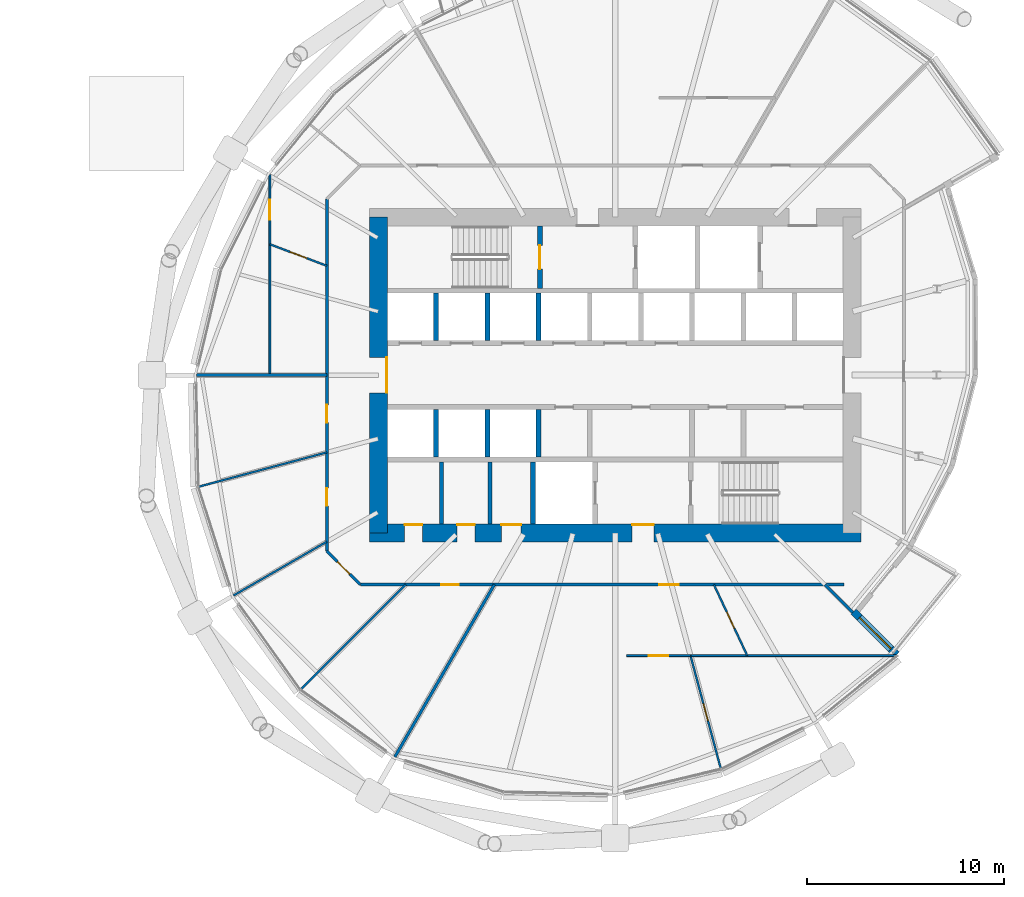
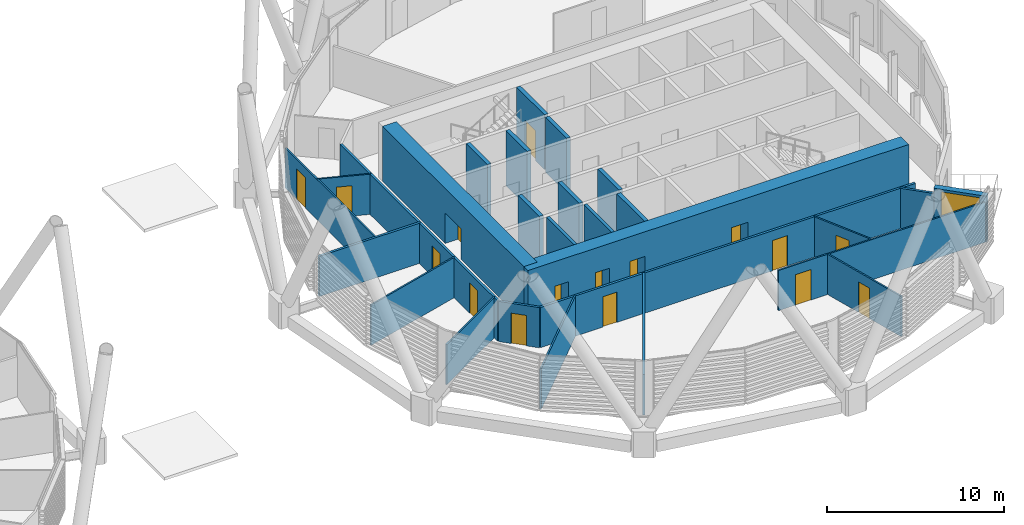
# One storey, part 25 of 34: 28 walls, 16 doors, 1 window, 17 openings.
"""IFC4 building model written with IfcOpenShell, lengths in metres."""

from ifc_helpers import new_model, si_unit, direction, frame, frame_2d, origin, place, context, subcontext, project, spatial, rectangle, extrude, material, layer, layer_set, type_object, element, fill, save


model = new_model("IFC4")

# Units and contexts
model_context = context("Model", 3, precision=1e-05, world=origin(), true_north=direction((0.0, 1.0)))
body_context = subcontext(model_context, "Body", "Model", "MODEL_VIEW")
ifc_project = project(units=[si_unit("LENGTHUNIT", "METRE"), si_unit("AREAUNIT", "SQUARE_METRE"), si_unit("VOLUMEUNIT", "CUBIC_METRE"), si_unit("PLANEANGLEUNIT", "RADIAN"), si_unit("MASSUNIT", "GRAM", prefix="KILO")], contexts=[model_context])

# Site, building, storey
site_placement = place(None, origin())
site = spatial("IfcSite", under=ifc_project, at=site_placement, CompositionType="ELEMENT")
building_placement = place(site_placement, origin())
building = spatial("IfcBuilding", under=site, at=building_placement, Name="Rimbun Link Towers", CompositionType="ELEMENT")
storey_placement = place(building_placement, frame((0.0, 0.0, 41.39990234375)))
storey = spatial("IfcBuildingStorey", under=building, at=storey_placement, Name="L09", CompositionType="ELEMENT", Elevation=41.39990234375)

# Wall, opening, window
ifc_material_1 = material(Name="Dark enamelled glass spandrel on insulated aluminium backpan", Category="aluminium")
ifc_layer_1 = layer(ifc_material_1, 0.3701171875)
ifc_layer_set_1 = layer_set([ifc_layer_1], Name="CS dark enamelled spandrel wall 370")
wall_type_1 = type_object("IfcWallType", Name="CS dark enamelled spandrel wall 370", PredefinedType="STANDARD", material=ifc_layer_set_1)
wall_1_placement = place(storey_placement, frame((43.83544921875, -11.99365234375, 0.0), z_axis=(0.0, 0.0, 1.0), x_axis=(0.707106781187, -0.707106781187, 0.0)))
wall_1 = element("IfcWall", 1, at=wall_1_placement, inside=storey, type_object=wall_type_1, Name="Crease spandrel wall", PredefinedType="STANDARD", context=body_context, shape_type="SweptSolid", body=[
    extrude(rectangle(XDim=3.080078125, YDim=0.3701171875, at=frame_2d((1.5400390625, 0.0))), origin(), (0.0, 0.0, 1.0), 3.1767578125),
])
opening_1_placement = place(wall_1_placement, frame((0.4150390625, 0.0, 0.300048828125)))
opening_1 = element("IfcOpeningElement", 2, at=opening_1_placement, cuts=wall_1, Name="Opening WR22H270", PredefinedType="OPENING", context=body_context, shape_type="SweptSolid", body=[
    extrude(rectangle(XDim=2.25, YDim=2.699951171875, at=frame_2d((1.125, 1.35009765625))), frame((0.0, 0.195068359375, 0.0), z_axis=(0.0, -1.0, 0.0), x_axis=(1.0, 0.0, 0.0)), (0.0, 0.0, 1.0), 0.39013671875),
])
ifc_material_2 = material(Name="Aluminium framed fixed window, dark tinted low-e glass", Category="aluminium")
window_type = type_object("IfcWindowType", Name="WR ribbon window 2250X2700", PartitioningType="SINGLE_PANEL", PredefinedType="WINDOW", material=ifc_material_2)
window_placement = place(opening_1_placement, origin())
window = element("IfcWindow", 3, at=window_placement, inside=storey, type_object=window_type, Name="Crease ribbon window", OverallHeight=2.699951171875, OverallWidth=2.25, PartitioningType="SINGLE_PANEL", PredefinedType="WINDOW", context=body_context, shape_type="SweptSolid", body=[
    extrude(rectangle(XDim=2.25, YDim=2.699951171875, at=frame_2d((1.125, 1.35009765625))), frame((0.0, 0.030029296875, 0.0), z_axis=(0.0, -1.0, 0.0), x_axis=(1.0, 0.0, 0.0)), (0.0, 0.0, 1.0), 0.06005859375),
])
fill(opening_1, window)

# Walls
ifc_material_3 = material(Name="Masonry blockwork", Category="masonry")
ifc_layer_2 = layer(ifc_material_3, 0.199951171875)
ifc_layer_set_2 = layer_set([ifc_layer_2], Name="Core partition 200")
wall_type_2 = type_object("IfcWallType", Name="Core partition 200", PredefinedType="PARTITIONING", material=ifc_layer_set_2)
for number, where, z_axis, x_axis, name in (
    (4, (22.949951171875, -4.39990234375, 0.0), (0.0, 0.0, 1.0), (0.0, -1.0, 0.0), "L09 T2 core wall C1"),
    (5, (25.39990234375, -4.39990234375, 0.0), (0.0, 0.0, 1.0), (0.0, -1.0, 0.0), "L09 T2 core wall C2"),
):
    element("IfcWall", number, at=place(storey_placement, frame(where, z_axis=z_axis, x_axis=x_axis)), inside=storey, type_object=wall_type_2, Name=name, PredefinedType="PARTITIONING", context=body_context, shape_type="SweptSolid", body=[
        extrude(rectangle(XDim=3.150146484375, YDim=0.199951171875, at=frame_2d((1.5751953125, 0.0))), origin(), (0.0, 0.0, 1.0), 3.800048828125),
    ])

# Wall, openings, doors
ifc_material_4 = material(Name="Concrete C60/75", Category="concrete")
ifc_layer_3 = layer(ifc_material_4, 0.89990234375)
ifc_layer_set_3 = layer_set([ifc_layer_3], Name="Core shear wall 900")
wall_type_3 = type_object("IfcWallType", Name="Core shear wall 900", PredefinedType="SHEAR", material=ifc_layer_set_3)
wall_2_placement = place(storey_placement, frame((19.300048828125, -8.0, 0.0), z_axis=(0.0, 0.0, 1.0), x_axis=(1.0, 0.0, 0.0)))
wall_2 = element("IfcWall", 6, at=wall_2_placement, inside=storey, type_object=wall_type_3, Name="L09 T2 core wall S", PredefinedType="SHEAR", context=body_context, shape_type="SweptSolid", body=[
    extrude(rectangle(XDim=24.89990234375, YDim=0.89990234375, at=frame_2d((12.449951171875, 0.0))), origin(), (0.0, 0.0, 1.0), 3.800048828125),
])
opening_2_placement = place(wall_2_placement, frame((13.300048828125, 0.0, 0.0)))
opening_2 = element("IfcOpeningElement", 7, at=opening_2_placement, cuts=wall_2, Name="Opening C2DCF01S", PredefinedType="OPENING", context=body_context, shape_type="SweptSolid", body=[
    extrude(rectangle(XDim=1.10009765625, YDim=2.10009765625, at=frame_2d((0.550048828125, 1.050048828125))), frame((0.0, 0.4599609375, 0.0), z_axis=(0.0, -1.0, 0.0), x_axis=(1.0, 0.0, 0.0)), (0.0, 0.0, 1.0), 0.919921875),
])
opening_3_placement = place(wall_2_placement, frame((1.77490234375, 0.0, 0.0)))
opening_3 = element("IfcOpeningElement", 8, at=opening_3_placement, cuts=wall_2, Name="Opening C2DWC02S", PredefinedType="OPENING", context=body_context, shape_type="SweptSolid", body=[
    extrude(rectangle(XDim=0.89990234375, YDim=2.10009765625, at=frame_2d((0.449951171875, 1.050048828125))), frame((0.0, 0.4599609375, 0.0), z_axis=(0.0, -1.0, 0.0), x_axis=(1.0, 0.0, 0.0)), (0.0, 0.0, 1.0), 0.919921875),
])
opening_4_placement = place(wall_2_placement, frame((4.425048828125, 0.0, 0.0)))
opening_4 = element("IfcOpeningElement", 9, at=opening_4_placement, cuts=wall_2, Name="Opening C2DWC03S", PredefinedType="OPENING", context=body_context, shape_type="SweptSolid", body=[
    extrude(rectangle(XDim=0.89990234375, YDim=2.10009765625, at=frame_2d((0.449951171875, 1.050048828125))), frame((0.0, 0.4599609375, 0.0), z_axis=(0.0, -1.0, 0.0), x_axis=(1.0, 0.0, 0.0)), (0.0, 0.0, 1.0), 0.919921875),
])
opening_5_placement = place(wall_2_placement, frame((6.675048828125, 0.0, 0.0)))
opening_5 = element("IfcOpeningElement", 10, at=opening_5_placement, cuts=wall_2, Name="Opening C2DAW04S", PredefinedType="OPENING", context=body_context, shape_type="SweptSolid", body=[
    extrude(rectangle(XDim=1.0, YDim=2.10009765625, at=frame_2d((0.5, 1.050048828125))), frame((0.0, 0.4599609375, 0.0), z_axis=(0.0, -1.0, 0.0), x_axis=(1.0, 0.0, 0.0)), (0.0, 0.0, 1.0), 0.919921875),
])
ifc_material_5 = material(Name="Timber", Category="wood")
door_type_1 = type_object("IfcDoorType", Name="Accessible WC door", OperationType="SINGLE_SWING_LEFT", PredefinedType="DOOR", material=ifc_material_5)
door_1_placement = place(opening_5_placement, origin())
door_1 = element("IfcDoor", 11, at=door_1_placement, inside=storey, type_object=door_type_1, Name="L09 T2 accessible wc door", OperationType="SINGLE_SWING_RIGHT", OverallHeight=2.10009765625, OverallWidth=1.0, PredefinedType="DOOR", context=body_context, shape_type="SweptSolid", body=[
    extrude(rectangle(XDim=1.0, YDim=2.10009765625, at=frame_2d((0.5, 1.050048828125))), frame((0.0, 0.4501953125, 0.0), z_axis=(0.0, -1.0, 0.0), x_axis=(1.0, 0.0, 0.0)), (0.0, 0.0, 1.0), 0.050048828125),
])
fill(opening_5, door_1)
ifc_material_6 = material(Name="Steel fire door set", Category="steel")
door_type_2 = type_object("IfcDoorType", Name="Core fire door single", OperationType="SINGLE_SWING_LEFT", PredefinedType="DOOR", material=ifc_material_6)
door_2_placement = place(opening_2_placement, origin())
door_2 = element("IfcDoor", 12, at=door_2_placement, inside=storey, type_object=door_type_2, Name="L09 T2 firefighting lobby s door", OperationType="SINGLE_SWING_RIGHT", OverallHeight=2.10009765625, OverallWidth=1.10009765625, PredefinedType="DOOR", context=body_context, shape_type="SweptSolid", body=[
    extrude(rectangle(XDim=1.10009765625, YDim=2.10009765625, at=frame_2d((0.550048828125, 1.050048828125))), frame((0.0, 0.4501953125, 0.0), z_axis=(0.0, -1.0, 0.0), x_axis=(1.0, 0.0, 0.0)), (0.0, 0.0, 1.0), 0.050048828125),
])
fill(opening_2, door_2)
ifc_material_7 = material(Name="Timber", Category="wood")
door_type_3 = type_object("IfcDoorType", Name="WC door", OperationType="SINGLE_SWING_LEFT", PredefinedType="DOOR", material=ifc_material_7)
door_3_placement = place(opening_3_placement, origin())
door_3 = element("IfcDoor", 13, at=door_3_placement, inside=storey, type_object=door_type_3, Name="L09 T2 male wc door", OperationType="SINGLE_SWING_RIGHT", OverallHeight=2.10009765625, OverallWidth=0.89990234375, PredefinedType="DOOR", context=body_context, shape_type="SweptSolid", body=[
    extrude(rectangle(XDim=0.89990234375, YDim=2.10009765625, at=frame_2d((0.449951171875, 1.050048828125))), frame((0.0, 0.4501953125, 0.0), z_axis=(0.0, -1.0, 0.0), x_axis=(1.0, 0.0, 0.0)), (0.0, 0.0, 1.0), 0.050048828125),
])
fill(opening_3, door_3)
door_4_placement = place(opening_4_placement, origin())
door_4 = element("IfcDoor", 14, at=door_4_placement, inside=storey, type_object=door_type_3, Name="L09 T2 female wc door", OperationType="SINGLE_SWING_RIGHT", OverallHeight=2.10009765625, OverallWidth=0.89990234375, PredefinedType="DOOR", context=body_context, shape_type="SweptSolid", body=[
    extrude(rectangle(XDim=0.89990234375, YDim=2.10009765625, at=frame_2d((0.449951171875, 1.050048828125))), frame((0.0, 0.4501953125, 0.0), z_axis=(0.0, -1.0, 0.0), x_axis=(1.0, 0.0, 0.0)), (0.0, 0.0, 1.0), 0.050048828125),
])
fill(opening_4, door_4)

# Wall, opening, door
wall_3_placement = place(storey_placement, frame((19.75, -8.0, 0.0), z_axis=(0.0, 0.0, 1.0), x_axis=(0.0, 1.0, 0.0)))
wall_3 = element("IfcWall", 15, at=wall_3_placement, inside=storey, type_object=wall_type_3, Name="L09 T2 core wall W", PredefinedType="SHEAR", context=body_context, shape_type="SweptSolid", body=[
    extrude(rectangle(XDim=16.0, YDim=0.89990234375, at=frame_2d((8.0, 0.0))), origin(), (0.0, 0.0, 1.0), 3.800048828125),
])
opening_6_placement = place(wall_3_placement, frame((7.10009765625, 0.0, 0.0)))
opening_6 = element("IfcOpeningElement", 16, at=opening_6_placement, cuts=wall_3, Name="Opening C2DCL01W", PredefinedType="OPENING", context=body_context, shape_type="SweptSolid", body=[
    extrude(rectangle(XDim=1.800048828125, YDim=2.10009765625, at=frame_2d((0.89990234375, 1.050048828125))), frame((0.0, 0.4599609375, 0.0), z_axis=(0.0, -1.0, 0.0), x_axis=(1.0, 0.0, 0.0)), (0.0, 0.0, 1.0), 0.919921875),
])
ifc_material_8 = material(Name="Steel fire door set", Category="steel")
door_type_4 = type_object("IfcDoorType", Name="Core lobby door double", OperationType="DOUBLE_DOOR_SINGLE_SWING", PredefinedType="DOOR", material=ifc_material_8)
door_5_placement = place(opening_6_placement, origin())
door_5 = element("IfcDoor", 17, at=door_5_placement, inside=storey, type_object=door_type_4, Name="L09 T2 lift lobby door", OperationType="DOUBLE_DOOR_SINGLE_SWING", OverallHeight=2.10009765625, OverallWidth=1.800048828125, PredefinedType="DOOR", context=body_context, shape_type="SweptSolid", body=[
    extrude(rectangle(XDim=1.800048828125, YDim=2.10009765625, at=frame_2d((0.89990234375, 1.050048828125))), frame((0.0, -0.39990234375, 0.0), z_axis=(0.0, -1.0, 0.0), x_axis=(1.0, 0.0, 0.0)), (0.0, 0.0, 1.0), 0.050048828125),
])
fill(opening_6, door_5)

# Wall, openings, doors
ifc_material_9 = material(Name="Plasterboard on steel stud, mineral wool", Category="steel")
ifc_layer_4 = layer(ifc_material_9, 0.14990234375)
ifc_layer_set_4 = layer_set([ifc_layer_4], Name="Corridor wall EI 30 150 mm")
wall_type_4 = type_object("IfcWallType", Name="Corridor wall EI 30 150 mm", PredefinedType="PARTITIONING", material=ifc_layer_set_4)
wall_4_placement = place(storey_placement, frame((43.330322265625, -10.625, 0.0), z_axis=(0.0, 0.0, 1.0), x_axis=(-1.0, 0.0, 0.0)))
wall_4 = element("IfcWall", 18, at=wall_4_placement, inside=storey, type_object=wall_type_4, Name="Corridor wall EI 30 150 mm", PredefinedType="PARTITIONING", context=body_context, shape_type="SweptSolid", body=[
    extrude(rectangle(XDim=24.507080078125, YDim=0.14990234375, at=frame_2d((12.25341796875, 0.0))), origin(), (0.0, 0.0, 1.0), 2.779052734375),
])
opening_7_placement = place(wall_4_placement, frame((19.510009765625, 0.0, 0.0)))
opening_7 = element("IfcOpeningElement", 19, at=opening_7_placement, cuts=wall_4, Name="Opening D02", PredefinedType="OPENING", context=body_context, shape_type="SweptSolid", body=[
    extrude(rectangle(XDim=0.89990234375, YDim=2.10009765625, at=frame_2d((0.449951171875, 1.050048828125))), frame((0.0, 0.0849609375, 0.0), z_axis=(0.0, -1.0, 0.0), x_axis=(1.0, 0.0, 0.0)), (0.0, 0.0, 1.0), 0.169921875),
])
opening_8_placement = place(wall_4_placement, frame((8.35595703125, 0.0, 0.0)))
opening_8 = element("IfcOpeningElement", 20, at=opening_8_placement, cuts=wall_4, Name="Opening D01", PredefinedType="OPENING", context=body_context, shape_type="SweptSolid", body=[
    extrude(rectangle(XDim=1.0, YDim=2.10009765625, at=frame_2d((0.5, 1.050048828125))), frame((0.0, 0.0849609375, 0.0), z_axis=(0.0, -1.0, 0.0), x_axis=(1.0, 0.0, 0.0)), (0.0, 0.0, 1.0), 0.169921875),
])
ifc_material_10 = material(Name="Fire-resisting timber door leaf", Category="wood")
door_type_5 = type_object("IfcDoorType", Name="Fire door FD30S 1000", OperationType="NOTDEFINED", PredefinedType="DOOR", material=ifc_material_10)
door_6_placement = place(opening_8_placement, origin())
door_6 = element("IfcDoor", 21, at=door_6_placement, inside=storey, type_object=door_type_5, Name="Fire door FD30S 1000 to Reception", OperationType="SINGLE_SWING_LEFT", OverallHeight=2.10009765625, OverallWidth=1.0, PredefinedType="DOOR", context=body_context, shape_type="SweptSolid", body=[
    extrude(rectangle(XDim=1.0, YDim=2.10009765625, at=frame_2d((0.5, 1.050048828125))), frame((0.0, 0.02490234375, 0.0), z_axis=(0.0, -1.0, 0.0), x_axis=(1.0, 0.0, 0.0)), (0.0, 0.0, 1.0), 0.050048828125),
])
fill(opening_8, door_6)
ifc_material_11 = material(Name="Fire-resisting timber door leaf", Category="wood")
door_type_6 = type_object("IfcDoorType", Name="Fire door FD30S 900", OperationType="NOTDEFINED", PredefinedType="DOOR", material=ifc_material_11)
door_7_placement = place(opening_7_placement, origin())
door_7 = element("IfcDoor", 22, at=door_7_placement, inside=storey, type_object=door_type_6, Name="Fire door FD30S 900 to Meeting room", OperationType="SINGLE_SWING_RIGHT", OverallHeight=2.10009765625, OverallWidth=0.89990234375, PredefinedType="DOOR", context=body_context, shape_type="SweptSolid", body=[
    extrude(rectangle(XDim=0.89990234375, YDim=2.10009765625, at=frame_2d((0.449951171875, 1.050048828125))), frame((0.0, 0.02490234375, 0.0), z_axis=(0.0, -1.0, 0.0), x_axis=(1.0, 0.0, 0.0)), (0.0, 0.0, 1.0), 0.050048828125),
])
fill(opening_7, door_7)

# Wall, opening, door
wall_5_placement = place(storey_placement, frame((18.8232421875, -10.625, 0.0), z_axis=(0.0, 0.0, 1.0), x_axis=(-0.707106781187, 0.707106781187, 0.0)))
wall_5 = element("IfcWall", 23, at=wall_5_placement, inside=storey, type_object=wall_type_4, Name="Corridor wall EI 30 150 mm", PredefinedType="PARTITIONING", context=body_context, shape_type="SweptSolid", body=[
    extrude(rectangle(XDim=2.401611328125, YDim=0.14990234375, at=frame_2d((1.20068359375, 0.0))), origin(), (0.0, 0.0, 1.0), 2.779052734375),
])
opening_9_placement = place(wall_5_placement, frame((0.7509765625, 0.0, 0.0)))
opening_9 = element("IfcOpeningElement", 24, at=opening_9_placement, cuts=wall_5, Name="Opening D02", PredefinedType="OPENING", context=body_context, shape_type="SweptSolid", body=[
    extrude(rectangle(XDim=0.89990234375, YDim=2.10009765625, at=frame_2d((0.449951171875, 1.050048828125))), frame((0.0, 0.0849609375, 0.0), z_axis=(0.0, -1.0, 0.0), x_axis=(1.0, 0.0, 0.0)), (0.0, 0.0, 1.0), 0.169921875),
])
door_8_placement = place(opening_9_placement, origin())
door_8 = element("IfcDoor", 25, at=door_8_placement, inside=storey, type_object=door_type_6, Name="Fire door FD30S 900 to Cellular office", OperationType="SINGLE_SWING_LEFT", OverallHeight=2.10009765625, OverallWidth=0.89990234375, PredefinedType="DOOR", context=body_context, shape_type="SweptSolid", body=[
    extrude(rectangle(XDim=0.89990234375, YDim=2.10009765625, at=frame_2d((0.449951171875, 1.050048828125))), frame((0.0, 0.02490234375, 0.0), z_axis=(0.0, -1.0, 0.0), x_axis=(1.0, 0.0, 0.0)), (0.0, 0.0, 1.0), 0.050048828125),
])
fill(opening_9, door_8)

# Wall, openings, doors
wall_6_placement = place(storey_placement, frame((17.125, -8.9267578125, 0.0), z_axis=(0.0, 0.0, 1.0), x_axis=(0.0, 1.0, 0.0)))
wall_6 = element("IfcWall", 26, at=wall_6_placement, inside=storey, type_object=wall_type_4, Name="Corridor wall EI 30 150 mm", PredefinedType="PARTITIONING", context=body_context, shape_type="SweptSolid", body=[
    extrude(rectangle(XDim=17.853515625, YDim=0.14990234375, at=frame_2d((8.9267578125, 0.0))), origin(), (0.0, 0.0, 1.0), 2.779052734375),
])
opening_10_placement = place(wall_6_placement, frame((6.517333984375, 0.0, 0.0)))
opening_10 = element("IfcOpeningElement", 27, at=opening_10_placement, cuts=wall_6, Name="Opening D02", PredefinedType="OPENING", context=body_context, shape_type="SweptSolid", body=[
    extrude(rectangle(XDim=0.89990234375, YDim=2.10009765625, at=frame_2d((0.449951171875, 1.050048828125))), frame((0.0, 0.0849609375, 0.0), z_axis=(0.0, -1.0, 0.0), x_axis=(1.0, 0.0, 0.0)), (0.0, 0.0, 1.0), 0.169921875),
])
opening_11_placement = place(wall_6_placement, frame((2.29541015625, 0.0, 0.0)))
opening_11 = element("IfcOpeningElement", 28, at=opening_11_placement, cuts=wall_6, Name="Opening D02", PredefinedType="OPENING", context=body_context, shape_type="SweptSolid", body=[
    extrude(rectangle(XDim=0.89990234375, YDim=2.10009765625, at=frame_2d((0.449951171875, 1.050048828125))), frame((0.0, 0.0849609375, 0.0), z_axis=(0.0, -1.0, 0.0), x_axis=(1.0, 0.0, 0.0)), (0.0, 0.0, 1.0), 0.169921875),
])
door_9_placement = place(opening_10_placement, origin())
door_9 = element("IfcDoor", 29, at=door_9_placement, inside=storey, type_object=door_type_6, Name="Fire door FD30S 900 to Cellular office", OperationType="SINGLE_SWING_LEFT", OverallHeight=2.10009765625, OverallWidth=0.89990234375, PredefinedType="DOOR", context=body_context, shape_type="SweptSolid", body=[
    extrude(rectangle(XDim=0.89990234375, YDim=2.10009765625, at=frame_2d((0.449951171875, 1.050048828125))), frame((0.0, 0.02490234375, 0.0), z_axis=(0.0, -1.0, 0.0), x_axis=(1.0, 0.0, 0.0)), (0.0, 0.0, 1.0), 0.050048828125),
])
fill(opening_10, door_9)
door_10_placement = place(opening_11_placement, origin())
door_10 = element("IfcDoor", 30, at=door_10_placement, inside=storey, type_object=door_type_6, Name="Fire door FD30S 900 to Cellular office", OperationType="SINGLE_SWING_RIGHT", OverallHeight=2.10009765625, OverallWidth=0.89990234375, PredefinedType="DOOR", context=body_context, shape_type="SweptSolid", body=[
    extrude(rectangle(XDim=0.89990234375, YDim=2.10009765625, at=frame_2d((0.449951171875, 1.050048828125))), frame((0.0, 0.02490234375, 0.0), z_axis=(0.0, -1.0, 0.0), x_axis=(1.0, 0.0, 0.0)), (0.0, 0.0, 1.0), 0.050048828125),
])
fill(opening_11, door_10)

# Wall, opening, door
ifc_material_12 = material(Name="Plasterboard on steel stud", Category="steel")
ifc_layer_5 = layer(ifc_material_12, 0.10009765625)
ifc_layer_set_5 = layer_set([ifc_layer_5], Name="Plasterboard partition 100 mm")
wall_type_5 = type_object("IfcWallType", Name="Plasterboard partition 100 mm", PredefinedType="PARTITIONING", material=ifc_layer_set_5)
wall_7_placement = place(storey_placement, frame((17.125, 5.537841796875, 0.0), z_axis=(0.0, 0.0, 1.0), x_axis=(-0.935190478961, 0.354145122882, 0.0)))
wall_7 = element("IfcWall", 31, at=wall_7_placement, inside=storey, type_object=wall_type_5, Name="Plasterboard partition 100 mm", PredefinedType="PARTITIONING", context=body_context, shape_type="SweptSolid", body=[
    extrude(rectangle(XDim=3.079345703125, YDim=0.10009765625, at=frame_2d((1.53955078125, 0.0))), origin(), (0.0, 0.0, 1.0), 2.779052734375),
])
opening_12_placement = place(wall_7_placement, frame((1.08984375, 0.0, 0.0)))
opening_12 = element("IfcOpeningElement", 32, at=opening_12_placement, cuts=wall_7, Name="Opening D04", PredefinedType="OPENING", context=body_context, shape_type="SweptSolid", body=[
    extrude(rectangle(XDim=0.89990234375, YDim=2.10009765625, at=frame_2d((0.449951171875, 1.050048828125))), frame((0.0, 0.06005859375, 0.0), z_axis=(0.0, -1.0, 0.0), x_axis=(1.0, 0.0, 0.0)), (0.0, 0.0, 1.0), 0.1201171875),
])
ifc_material_13 = material(Name="Timber door leaf", Category="wood")
door_type_7 = type_object("IfcDoorType", Name="Flush door 900", OperationType="NOTDEFINED", PredefinedType="DOOR", material=ifc_material_13)
door_11_placement = place(opening_12_placement, origin())
door_11 = element("IfcDoor", 33, at=door_11_placement, inside=storey, type_object=door_type_7, Name="Flush door 900 to Strong room", OperationType="SINGLE_SWING_RIGHT", OverallHeight=2.10009765625, OverallWidth=0.89990234375, PredefinedType="DOOR", context=body_context, shape_type="SweptSolid", body=[
    extrude(rectangle(XDim=0.89990234375, YDim=2.10009765625, at=frame_2d((0.449951171875, 1.050048828125))), frame((0.0, 0.02490234375, 0.0), z_axis=(0.0, -1.0, 0.0), x_axis=(1.0, 0.0, 0.0)), (0.0, 0.0, 1.0), 0.050048828125),
])
fill(opening_12, door_11)

wall_8_placement = place(storey_placement, frame((14.2451171875, 0.0, 0.0), z_axis=(0.0, 0.0, 1.0), x_axis=(0.0, 1.0, 0.0)))
wall_8 = element("IfcWall", 34, at=wall_8_placement, inside=storey, type_object=wall_type_5, Name="Plasterboard partition 100 mm", PredefinedType="PARTITIONING", context=body_context, shape_type="SweptSolid", body=[
    extrude(rectangle(XDim=10.162109375, YDim=0.10009765625, at=frame_2d((5.0810546875, 0.0))), origin(), (0.0, 0.0, 1.0), 2.779052734375),
])
opening_13_placement = place(wall_8_placement, frame((7.879150390625, 0.0, 0.0)))
opening_13 = element("IfcOpeningElement", 35, at=opening_13_placement, cuts=wall_8, Name="Opening D03", PredefinedType="OPENING", context=body_context, shape_type="SweptSolid", body=[
    extrude(rectangle(XDim=1.0, YDim=2.10009765625, at=frame_2d((0.5, 1.050048828125))), frame((0.0, 0.06005859375, 0.0), z_axis=(0.0, -1.0, 0.0), x_axis=(1.0, 0.0, 0.0)), (0.0, 0.0, 1.0), 0.1201171875),
])
ifc_material_14 = material(Name="Timber door leaf", Category="wood")
door_type_8 = type_object("IfcDoorType", Name="Flush door 1000", OperationType="NOTDEFINED", PredefinedType="DOOR", material=ifc_material_14)
door_12_placement = place(opening_13_placement, origin())
door_12 = element("IfcDoor", 36, at=door_12_placement, inside=storey, type_object=door_type_8, Name="Flush door 1000 to Banking hall", OperationType="SINGLE_SWING_LEFT", OverallHeight=2.10009765625, OverallWidth=1.0, PredefinedType="DOOR", context=body_context, shape_type="SweptSolid", body=[
    extrude(rectangle(XDim=1.0, YDim=2.10009765625, at=frame_2d((0.5, 1.050048828125))), frame((0.0, 0.02490234375, 0.0), z_axis=(0.0, -1.0, 0.0), x_axis=(1.0, 0.0, 0.0)), (0.0, 0.0, 1.0), 0.050048828125),
])
fill(opening_13, door_12)

# Walls
wall_9_placement = place(storey_placement, frame((10.63720703125, -5.656982421875, 0.0), z_axis=(0.0, 0.0, 1.0), x_axis=(0.965930204712, 0.258802704055, 0.0)))
element("IfcWall", 37, at=wall_9_placement, inside=storey, type_object=wall_type_5, Name="Plasterboard partition 100 mm", PredefinedType="PARTITIONING", context=body_context, shape_type="SweptSolid", body=[
    extrude(rectangle(XDim=6.716552734375, YDim=0.10009765625, at=frame_2d((3.3583984375, 0.0))), origin(), (0.0, 0.0, 1.0), 2.779052734375),
])
wall_10_placement = place(storey_placement, frame((12.392578125, -11.176025390625, 0.0), z_axis=(0.0, 0.0, 1.0), x_axis=(0.866032322181, 0.499988016794, 0.0)))
element("IfcWall", 38, at=wall_10_placement, inside=storey, type_object=wall_type_5, Name="Plasterboard partition 100 mm", PredefinedType="PARTITIONING", context=body_context, shape_type="SweptSolid", body=[
    extrude(rectangle(XDim=5.464599609375, YDim=0.10009765625, at=frame_2d((2.732421875, 0.0))), origin(), (0.0, 0.0, 1.0), 2.779052734375),
])
wall_11_placement = place(storey_placement, frame((15.810546875, -15.939453125, 0.0), z_axis=(0.0, 0.0, 1.0), x_axis=(0.707106781187, 0.707106781187, 0.0)))
element("IfcWall", 39, at=wall_11_placement, inside=storey, type_object=wall_type_5, Name="Plasterboard partition 100 mm", PredefinedType="PARTITIONING", context=body_context, shape_type="SweptSolid", body=[
    extrude(rectangle(XDim=7.515869140625, YDim=0.10009765625, at=frame_2d((3.7578125, 0.0))), origin(), (0.0, 0.0, 1.0), 2.779052734375),
])

# Wall, opening, door
wall_12_placement = place(storey_placement, frame((36.746826171875, -10.625, 0.0), z_axis=(0.0, 0.0, 1.0), x_axis=(0.425581283006, -0.904920201761, 0.0)))
wall_12 = element("IfcWall", 40, at=wall_12_placement, inside=storey, type_object=wall_type_5, Name="Plasterboard partition 100 mm", PredefinedType="PARTITIONING", context=body_context, shape_type="SweptSolid", body=[
    extrude(rectangle(XDim=3.978271484375, YDim=0.10009765625, at=frame_2d((1.9892578125, 0.0))), origin(), (0.0, 0.0, 1.0), 2.779052734375),
])
opening_14_placement = place(wall_12_placement, frame((1.5390625, 0.0, 0.0)))
opening_14 = element("IfcOpeningElement", 41, at=opening_14_placement, cuts=wall_12, Name="Opening D04", PredefinedType="OPENING", context=body_context, shape_type="SweptSolid", body=[
    extrude(rectangle(XDim=0.89990234375, YDim=2.10009765625, at=frame_2d((0.449951171875, 1.050048828125))), frame((0.0, 0.06005859375, 0.0), z_axis=(0.0, -1.0, 0.0), x_axis=(1.0, 0.0, 0.0)), (0.0, 0.0, 1.0), 0.1201171875),
])
door_13_placement = place(opening_14_placement, origin())
door_13 = element("IfcDoor", 42, at=door_13_placement, inside=storey, type_object=door_type_7, Name="Flush door 900 to Meeting room", OperationType="SINGLE_SWING_LEFT", OverallHeight=2.10009765625, OverallWidth=0.89990234375, PredefinedType="DOOR", context=body_context, shape_type="SweptSolid", body=[
    extrude(rectangle(XDim=0.89990234375, YDim=2.10009765625, at=frame_2d((0.449951171875, 1.050048828125))), frame((0.0, 0.02490234375, 0.0), z_axis=(0.0, -1.0, 0.0), x_axis=(1.0, 0.0, 0.0)), (0.0, 0.0, 1.0), 0.050048828125),
])
fill(opening_14, door_13)

wall_13_placement = place(storey_placement, frame((35.5615234375, -14.22509765625, 0.0), z_axis=(0.0, 0.0, 1.0), x_axis=(-1.0, 0.0, 0.0)))
wall_13 = element("IfcWall", 43, at=wall_13_placement, inside=storey, type_object=wall_type_5, Name="Plasterboard partition 100 mm", PredefinedType="PARTITIONING", context=body_context, shape_type="SweptSolid", body=[
    extrude(rectangle(XDim=3.236083984375, YDim=0.10009765625, at=frame_2d((1.6181640625, 0.0))), origin(), (0.0, 0.0, 1.0), 2.779052734375),
])
opening_15_placement = place(wall_13_placement, frame((1.117919921875, 0.0, 0.0)))
opening_15 = element("IfcOpeningElement", 44, at=opening_15_placement, cuts=wall_13, Name="Opening D03", PredefinedType="OPENING", context=body_context, shape_type="SweptSolid", body=[
    extrude(rectangle(XDim=1.0, YDim=2.10009765625, at=frame_2d((0.5, 1.050048828125))), frame((0.0, 0.06005859375, 0.0), z_axis=(0.0, -1.0, 0.0), x_axis=(1.0, 0.0, 0.0)), (0.0, 0.0, 1.0), 0.1201171875),
])
door_14_placement = place(opening_15_placement, origin())
door_14 = element("IfcDoor", 45, at=door_14_placement, inside=storey, type_object=door_type_8, Name="Flush door 1000 to Co-working space", OperationType="SINGLE_SWING_RIGHT", OverallHeight=2.10009765625, OverallWidth=1.0, PredefinedType="DOOR", context=body_context, shape_type="SweptSolid", body=[
    extrude(rectangle(XDim=1.0, YDim=2.10009765625, at=frame_2d((0.5, 1.050048828125))), frame((0.0, 0.02490234375, 0.0), z_axis=(0.0, -1.0, 0.0), x_axis=(1.0, 0.0, 0.0)), (0.0, 0.0, 1.0), 0.050048828125),
])
fill(opening_15, door_14)

# Wall
wall_14_placement = place(storey_placement, frame((35.5615234375, -14.22509765625, 0.0), z_axis=(0.0, 0.0, 1.0), x_axis=(1.0, 0.0, 0.0)))
element("IfcWall", 46, at=wall_14_placement, inside=storey, type_object=wall_type_5, Name="Plasterboard partition 100 mm", PredefinedType="PARTITIONING", context=body_context, shape_type="SweptSolid", body=[
    extrude(rectangle(XDim=10.41357421875, YDim=0.10009765625, at=frame_2d((5.206787109375, 0.0))), origin(), (0.0, 0.0, 1.0), 2.779052734375),
])

# Wall, opening, door
wall_15_placement = place(storey_placement, frame((35.5615234375, -14.22509765625, 0.0), z_axis=(0.0, 0.0, 1.0), x_axis=(0.25883348972, -0.96592195575, 0.0)))
wall_15 = element("IfcWall", 47, at=wall_15_placement, inside=storey, type_object=wall_type_5, Name="Plasterboard partition 100 mm", PredefinedType="PARTITIONING", context=body_context, shape_type="SweptSolid", body=[
    extrude(rectangle(XDim=5.93017578125, YDim=0.10009765625, at=frame_2d((2.965087890625, 0.0))), origin(), (0.0, 0.0, 1.0), 2.779052734375),
])
opening_16_placement = place(wall_15_placement, frame((2.51513671875, 0.0, 0.0)))
opening_16 = element("IfcOpeningElement", 48, at=opening_16_placement, cuts=wall_15, Name="Opening D04", PredefinedType="OPENING", context=body_context, shape_type="SweptSolid", body=[
    extrude(rectangle(XDim=0.89990234375, YDim=2.10009765625, at=frame_2d((0.449951171875, 1.050048828125))), frame((0.0, 0.06005859375, 0.0), z_axis=(0.0, -1.0, 0.0), x_axis=(1.0, 0.0, 0.0)), (0.0, 0.0, 1.0), 0.1201171875),
])
door_15_placement = place(opening_16_placement, origin())
door_15 = element("IfcDoor", 49, at=door_15_placement, inside=storey, type_object=door_type_7, Name="Flush door 900 to Serviced office", OperationType="SINGLE_SWING_LEFT", OverallHeight=2.10009765625, OverallWidth=0.89990234375, PredefinedType="DOOR", context=body_context, shape_type="SweptSolid", body=[
    extrude(rectangle(XDim=0.89990234375, YDim=2.10009765625, at=frame_2d((0.449951171875, 1.050048828125))), frame((0.0, 0.02490234375, 0.0), z_axis=(0.0, -1.0, 0.0), x_axis=(1.0, 0.0, 0.0)), (0.0, 0.0, 1.0), 0.050048828125),
])
fill(opening_16, door_15)

# Walls
ifc_material_15 = material(Name="Concrete C60/75", Category="concrete")
ifc_layer_6 = layer(ifc_material_15, 0.25)
ifc_layer_set_6 = layer_set([ifc_layer_6], Name="Shaft wall 250")
wall_type_6 = type_object("IfcWallType", Name="Shaft wall 250", PredefinedType="SHEAR", material=ifc_layer_set_6)
for number, where, z_axis, x_axis, name in (
    (50, (22.66943359375, 1.75, 0.0), (0.0, 0.0, 1.0), (0.0, 1.0, 0.0), "L09 T2 core wall DN0"),
    (51, (25.263916015625, 1.75, 0.0), (0.0, 0.0, 1.0), (0.0, 1.0, 0.0), "L09 T2 core wall DN1"),
    (52, (27.8583984375, 1.75, 0.0), (0.0, 0.0, 1.0), (0.0, 1.0, 0.0), "L09 T2 core wall DN2"),
    (53, (22.66943359375, -4.14990234375, 0.0), (0.0, 0.0, 1.0), (0.0, 1.0, 0.0), "L09 T2 core wall DS0"),
    (54, (25.263916015625, -4.14990234375, 0.0), (0.0, 0.0, 1.0), (0.0, 1.0, 0.0), "L09 T2 core wall DS1"),
    (55, (27.8583984375, -4.14990234375, 0.0), (0.0, 0.0, 1.0), (0.0, 1.0, 0.0), "L09 T2 core wall DS2"),
):
    element("IfcWall", number, at=place(storey_placement, frame(where, z_axis=z_axis, x_axis=x_axis)), inside=storey, type_object=wall_type_6, Name=name, PredefinedType="SHEAR", context=body_context, shape_type="SweptSolid", body=[
        extrude(rectangle(XDim=2.39990234375, YDim=0.25, at=frame_2d((1.199951171875, 0.0))), origin(), (0.0, 0.0, 1.0), 3.800048828125),
    ])

# Wall, opening, door
wall_16_placement = place(storey_placement, frame((27.925048828125, 4.39990234375, 0.0), z_axis=(0.0, 0.0, 1.0), x_axis=(0.0, 1.0, 0.0)))
wall_16 = element("IfcWall", 56, at=wall_16_placement, inside=storey, type_object=wall_type_6, Name="L09 T2 core wall A1", PredefinedType="SHEAR", context=body_context, shape_type="SweptSolid", body=[
    extrude(rectangle(XDim=3.150146484375, YDim=0.25, at=frame_2d((1.5751953125, 0.0))), origin(), (0.0, 0.0, 1.0), 3.800048828125),
])
opening_17_placement = place(wall_16_placement, frame((0.97509765625, 0.0, 0.0)))
opening_17 = element("IfcOpeningElement", 57, at=opening_17_placement, cuts=wall_16, Name="Opening C2DST01A1", PredefinedType="OPENING", context=body_context, shape_type="SweptSolid", body=[
    extrude(rectangle(XDim=1.199951171875, YDim=2.10009765625, at=frame_2d((0.60009765625, 1.050048828125))), frame((0.0, 0.135009765625, 0.0), z_axis=(0.0, -1.0, 0.0), x_axis=(1.0, 0.0, 0.0)), (0.0, 0.0, 1.0), 0.27001953125),
])
ifc_material_16 = material(Name="Steel fire door set", Category="steel")
door_type_9 = type_object("IfcDoorType", Name="Stair door", OperationType="SINGLE_SWING_LEFT", PredefinedType="DOOR", material=ifc_material_16)
door_16_placement = place(opening_17_placement, origin())
door_16 = element("IfcDoor", 58, at=door_16_placement, inside=storey, type_object=door_type_9, Name="L09 T2 stair a door", OperationType="SINGLE_SWING_RIGHT", OverallHeight=2.10009765625, OverallWidth=1.199951171875, PredefinedType="DOOR", context=body_context, shape_type="SweptSolid", body=[
    extrude(rectangle(XDim=1.199951171875, YDim=2.10009765625, at=frame_2d((0.60009765625, 1.050048828125))), frame((0.0, 0.02490234375, 0.0), z_axis=(0.0, -1.0, 0.0), x_axis=(1.0, 0.0, 0.0)), (0.0, 0.0, 1.0), 0.050048828125),
])
fill(opening_17, door_16)

# Walls
wall_17_placement = place(storey_placement, frame((27.574951171875, -4.39990234375, 0.0), z_axis=(0.0, 0.0, 1.0), x_axis=(0.0, -1.0, 0.0)))
element("IfcWall", 59, at=wall_17_placement, inside=storey, type_object=wall_type_6, Name="L09 T2 core wall B3", PredefinedType="SHEAR", context=body_context, shape_type="SweptSolid", body=[
    extrude(rectangle(XDim=3.150146484375, YDim=0.25, at=frame_2d((1.5751953125, 0.0))), origin(), (0.0, 0.0, 1.0), 3.800048828125),
])
ifc_material_17 = material(Name="Plasterboard on steel stud, mineral wool", Category="steel")
ifc_layer_7 = layer(ifc_material_17, 0.14990234375)
ifc_layer_set_7 = layer_set([ifc_layer_7], Name="Tenancy separation wall EI 60 150 mm")
wall_type_7 = type_object("IfcWallType", Name="Tenancy separation wall EI 60 150 mm", PredefinedType="PARTITIONING", material=ifc_layer_set_7)
wall_18_placement = place(storey_placement, frame((17.125, 0.0, 0.0), z_axis=(0.0, 0.0, 1.0), x_axis=(-1.0, 0.0, 0.0)))
element("IfcWall", 60, at=wall_18_placement, inside=storey, type_object=wall_type_7, Name="Tenancy separation wall EI 60 150 mm", PredefinedType="PARTITIONING", context=body_context, shape_type="SweptSolid", body=[
    extrude(rectangle(XDim=6.60693359375, YDim=0.14990234375, at=frame_2d((3.303466796875, 0.0))), origin(), (0.0, 0.0, 1.0), 2.779052734375),
])
wall_19_placement = place(storey_placement, frame((25.615478515625, -10.625, 0.0), z_axis=(0.0, 0.0, 1.0), x_axis=(-0.499987934352, -0.866032369777, 0.0)))
element("IfcWall", 61, at=wall_19_placement, inside=storey, type_object=wall_type_7, Name="Tenancy separation wall EI 60 150 mm", PredefinedType="PARTITIONING", context=body_context, shape_type="SweptSolid", body=[
    extrude(rectangle(XDim=10.083251953125, YDim=0.14990234375, at=frame_2d((5.04150390625, 0.0))), origin(), (0.0, 0.0, 1.0), 2.779052734375),
])
wall_20_placement = place(storey_placement, frame((42.375, -10.625, 0.0), z_axis=(0.0, 0.0, 1.0), x_axis=(0.707106781187, -0.707106781187, 0.0)))
element("IfcWall", 62, at=wall_20_placement, inside=storey, type_object=wall_type_7, Name="Tenancy separation wall EI 60 150 mm", PredefinedType="PARTITIONING", context=body_context, shape_type="SweptSolid", body=[
    extrude(rectangle(XDim=2.00048828125, YDim=0.14990234375, at=frame_2d((1.000244140625, 0.0))), origin(), (0.0, 0.0, 1.0), 2.779052734375),
])

save(model, "model.ifc")
